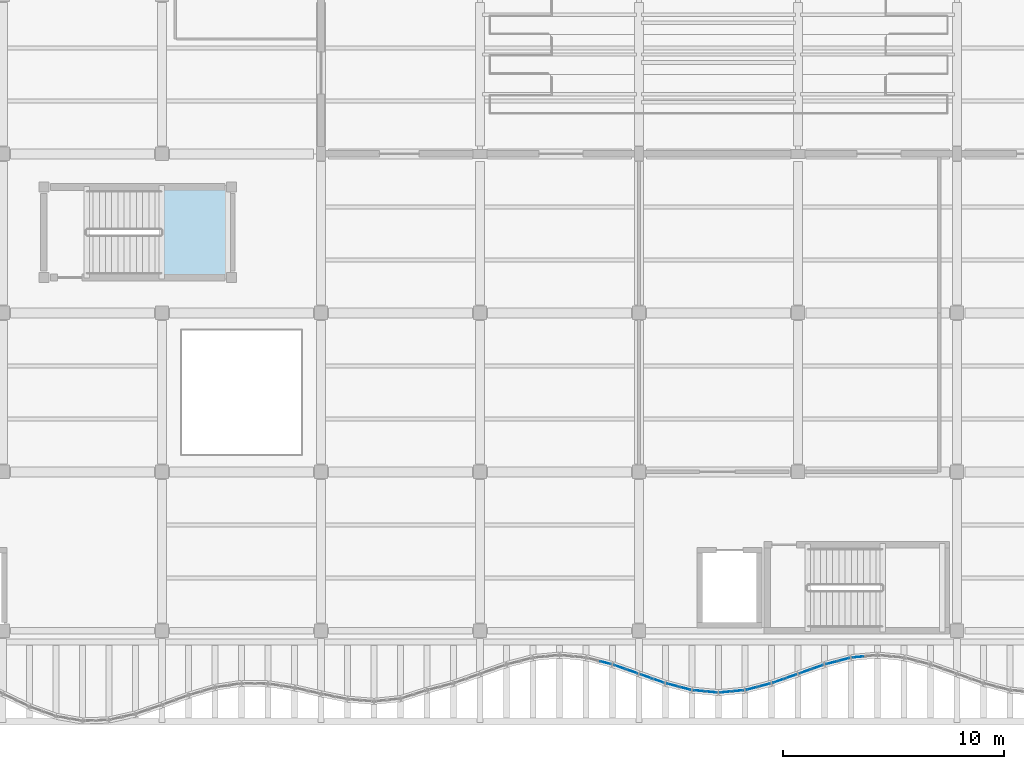
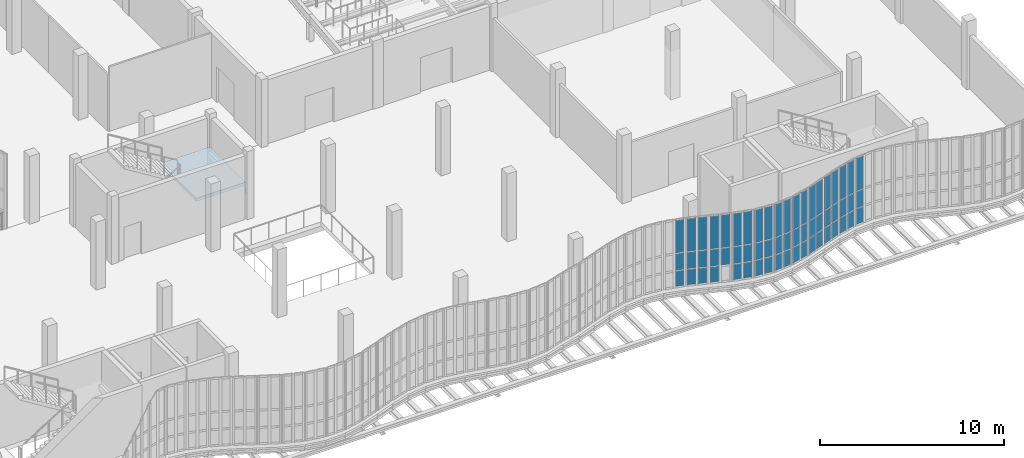
# One storey, part 79 of 105: 59 plates, 1 slab, 12 elements without a shape of their own.
"""IFC4 building model written with IfcOpenShell, lengths in metres."""

from ifc_helpers import new_model, si_unit, direction, frame, origin, origin_2d, place, context, subcontext, project, spatial, polyline, rectangle, outline, extrude, material, layer, layer_set, type_object, element, aggregate, save


model = new_model("IFC4")

# Units and contexts
model_context = context("Model", 3, precision=1e-05, world=origin(), true_north=direction((0.0, 1.0)))
body_context = subcontext(model_context, "Body", "Model", "MODEL_VIEW")
ifc_project = project(units=[si_unit("LENGTHUNIT", "METRE"), si_unit("AREAUNIT", "SQUARE_METRE"), si_unit("VOLUMEUNIT", "CUBIC_METRE"), si_unit("PLANEANGLEUNIT", "RADIAN"), si_unit("MASSUNIT", "GRAM", prefix="KILO"), si_unit("THERMODYNAMICTEMPERATUREUNIT", "KELVIN"), si_unit("POWERUNIT", "WATT")], contexts=[model_context])

# Site, building, storey
site_placement = place(None, origin())
site = spatial("IfcSite", under=ifc_project, at=site_placement, CompositionType="ELEMENT")
building_placement = place(site_placement, origin())
building = spatial("IfcBuilding", under=site, at=building_placement, Name="Kaldorven Railside Theatre", CompositionType="ELEMENT")
storey_placement = place(building_placement, frame((0.0, 0.0, 9.89990234375)))
storey = spatial("IfcBuildingStorey", under=building, at=storey_placement, Name="L02", CompositionType="ELEMENT", Elevation=9.89990234375)

# Curtain wall, plates
ifc_material_1 = material(Name="Low-E laminated solar-control glass", Category="glass")
ifc_layer_1 = layer(ifc_material_1, 0.159912109375, Name="Low-E laminated solar-control glass")
ifc_layer_set_1 = layer_set([ifc_layer_1], Name="Low-E laminated solar-control glass")
curtain_wall_type_1 = type_object("IfcCurtainWallType", Name="CWT-02", PredefinedType="USERDEFINED", material=ifc_layer_set_1)
curtain_wall_1_placement = place(storey_placement, origin())
curtain_wall_1 = element("IfcCurtainWall", 1, at=curtain_wall_1_placement, inside=storey, type_object=curtain_wall_type_1, Name="Sinusoidal Fluted Curtain Wall CW-L02-S53", ObjectType="FLUTED GLAZING", PredefinedType="USERDEFINED")
ifc_layer_2 = layer(ifc_material_1, 0.028076171875, Name="Low-E laminated solar-control glass")
ifc_layer_set_2 = layer_set([ifc_layer_2], Name="Low-E laminated solar-control glass")
plate_type = type_object("IfcPlateType", Name="CWP-GLZ28", PredefinedType="CURTAIN_PANEL", material=ifc_layer_set_2)
plate_1_placement = place(storey_placement, frame((100.08056640625, 17.7578125, 0.06005859375), z_axis=(0.0, 0.0, 1.0), x_axis=(0.967999075505, -0.250953760326, 0.0)))
plate_1 = element("IfcPlate", 2, at=plate_1_placement, type_object=plate_type, Name="CW-L02-S53 panel 2.1", PredefinedType="CURTAIN_PANEL", context=body_context, shape_type="SweptSolid", body=[
    extrude(rectangle(XDim=0.499755859375, YDim=0.028076171875, at=origin_2d()), origin(), (0.0, 0.0, 1.0), 1.010009765625),
])
plate_2_placement = place(storey_placement, frame((100.08056640625, 17.7578125, 1.1298828125), z_axis=(0.0, 0.0, 1.0), x_axis=(0.967999075505, -0.250953760326, 0.0)))
plate_2 = element("IfcPlate", 3, at=plate_2_placement, type_object=plate_type, Name="CW-L02-S53 panel 2.2", PredefinedType="CURTAIN_PANEL", context=body_context, shape_type="SweptSolid", body=[
    extrude(rectangle(XDim=0.499755859375, YDim=0.028076171875, at=origin_2d()), origin(), (0.0, 0.0, 1.0), 1.090087890625),
])
plate_3_placement = place(storey_placement, frame((100.08056640625, 17.7578125, 2.2802734375), z_axis=(0.0, 0.0, 1.0), x_axis=(0.967999075505, -0.250953760326, 0.0)))
plate_3 = element("IfcPlate", 4, at=plate_3_placement, type_object=plate_type, Name="CW-L02-S53 panel 2.3", PredefinedType="CURTAIN_PANEL", context=body_context, shape_type="SweptSolid", body=[
    extrude(rectangle(XDim=0.499755859375, YDim=0.028076171875, at=origin_2d()), origin(), (0.0, 0.0, 1.0), 2.159912109375),
])
aggregate(curtain_wall_1, [plate_1, plate_2, plate_3])

ifc_layer_3 = layer(ifc_material_1, 0.159912109375, Name="Low-E laminated solar-control glass")
ifc_layer_set_3 = layer_set([ifc_layer_3], Name="Low-E laminated solar-control glass")
curtain_wall_type_2 = type_object("IfcCurtainWallType", Name="CWT-01", PredefinedType="USERDEFINED", material=ifc_layer_set_3)
curtain_wall_2_placement = place(storey_placement, origin())
curtain_wall_2 = element("IfcCurtainWall", 5, at=curtain_wall_2_placement, inside=storey, type_object=curtain_wall_type_2, Name="Sinusoidal Fluted Curtain Wall CW-L02-S54", ObjectType="FLUTED GLAZING", PredefinedType="USERDEFINED")
plate_4_placement = place(storey_placement, frame((100.71875, 17.56201171875, 0.06005859375), z_axis=(0.0, 0.0, 1.0), x_axis=(0.942627225159, -0.33384714225, 0.0)))
plate_4 = element("IfcPlate", 6, at=plate_4_placement, type_object=plate_type, Name="CW-L02-S54 panel 1.1", PredefinedType="CURTAIN_PANEL", context=body_context, shape_type="SweptSolid", body=[
    extrude(rectangle(XDim=0.5166015625, YDim=0.028076171875, at=origin_2d()), origin(), (0.0, 0.0, 1.0), 1.010009765625),
])
plate_5_placement = place(storey_placement, frame((100.71875, 17.56201171875, 1.1298828125), z_axis=(0.0, 0.0, 1.0), x_axis=(0.942627225159, -0.33384714225, 0.0)))
plate_5 = element("IfcPlate", 7, at=plate_5_placement, type_object=plate_type, Name="CW-L02-S54 panel 1.2", PredefinedType="CURTAIN_PANEL", context=body_context, shape_type="SweptSolid", body=[
    extrude(rectangle(XDim=0.5166015625, YDim=0.028076171875, at=origin_2d()), origin(), (0.0, 0.0, 1.0), 1.090087890625),
])
plate_6_placement = place(storey_placement, frame((100.71875, 17.56201171875, 2.2802734375), z_axis=(0.0, 0.0, 1.0), x_axis=(0.942627225159, -0.33384714225, 0.0)))
plate_6 = element("IfcPlate", 8, at=plate_6_placement, type_object=plate_type, Name="CW-L02-S54 panel 1.3", PredefinedType="CURTAIN_PANEL", context=body_context, shape_type="SweptSolid", body=[
    extrude(rectangle(XDim=0.5166015625, YDim=0.028076171875, at=origin_2d()), origin(), (0.0, 0.0, 1.0), 2.159912109375),
])
plate_7_placement = place(storey_placement, frame((101.28125, 17.363037109375, 0.06005859375), z_axis=(0.0, 0.0, 1.0), x_axis=(0.942627225159, -0.33384714225, 0.0)))
plate_7 = element("IfcPlate", 9, at=plate_7_placement, type_object=plate_type, Name="CW-L02-S54 panel 2.1", PredefinedType="CURTAIN_PANEL", context=body_context, shape_type="SweptSolid", body=[
    extrude(rectangle(XDim=0.5166015625, YDim=0.028076171875, at=origin_2d()), origin(), (0.0, 0.0, 1.0), 1.010009765625),
])
plate_8_placement = place(storey_placement, frame((101.28125, 17.363037109375, 1.1298828125), z_axis=(0.0, 0.0, 1.0), x_axis=(0.942627225159, -0.33384714225, 0.0)))
plate_8 = element("IfcPlate", 10, at=plate_8_placement, type_object=plate_type, Name="CW-L02-S54 panel 2.2", PredefinedType="CURTAIN_PANEL", context=body_context, shape_type="SweptSolid", body=[
    extrude(rectangle(XDim=0.5166015625, YDim=0.028076171875, at=origin_2d()), origin(), (0.0, 0.0, 1.0), 1.090087890625),
])
plate_9_placement = place(storey_placement, frame((101.28125, 17.363037109375, 2.2802734375), z_axis=(0.0, 0.0, 1.0), x_axis=(0.942627225159, -0.33384714225, 0.0)))
plate_9 = element("IfcPlate", 11, at=plate_9_placement, type_object=plate_type, Name="CW-L02-S54 panel 2.3", PredefinedType="CURTAIN_PANEL", context=body_context, shape_type="SweptSolid", body=[
    extrude(rectangle(XDim=0.5166015625, YDim=0.028076171875, at=origin_2d()), origin(), (0.0, 0.0, 1.0), 2.159912109375),
])
aggregate(curtain_wall_2, [plate_4, plate_5, plate_6, plate_7, plate_8, plate_9])

curtain_wall_3_placement = place(storey_placement, origin())
curtain_wall_3 = element("IfcCurtainWall", 12, at=curtain_wall_3_placement, inside=storey, type_object=curtain_wall_type_2, Name="Sinusoidal Fluted Curtain Wall CW-L02-S55", ObjectType="FLUTED GLAZING", PredefinedType="USERDEFINED")
plate_10_placement = place(storey_placement, frame((101.9189453125, 17.136962890625, 0.06005859375), z_axis=(0.0, 0.0, 1.0), x_axis=(0.942627225159, -0.33384714225, 0.0)))
plate_10 = element("IfcPlate", 13, at=plate_10_placement, type_object=plate_type, Name="CW-L02-S55 panel 1.1", PredefinedType="CURTAIN_PANEL", context=body_context, shape_type="SweptSolid", body=[
    extrude(rectangle(XDim=0.5166015625, YDim=0.028076171875, at=origin_2d()), origin(), (0.0, 0.0, 1.0), 1.010009765625),
])
plate_11_placement = place(storey_placement, frame((101.9189453125, 17.136962890625, 1.1298828125), z_axis=(0.0, 0.0, 1.0), x_axis=(0.942627225159, -0.33384714225, 0.0)))
plate_11 = element("IfcPlate", 14, at=plate_11_placement, type_object=plate_type, Name="CW-L02-S55 panel 1.2", PredefinedType="CURTAIN_PANEL", context=body_context, shape_type="SweptSolid", body=[
    extrude(rectangle(XDim=0.5166015625, YDim=0.028076171875, at=origin_2d()), origin(), (0.0, 0.0, 1.0), 1.090087890625),
])
plate_12_placement = place(storey_placement, frame((101.9189453125, 17.136962890625, 2.2802734375), z_axis=(0.0, 0.0, 1.0), x_axis=(0.942627225159, -0.33384714225, 0.0)))
plate_12 = element("IfcPlate", 15, at=plate_12_placement, type_object=plate_type, Name="CW-L02-S55 panel 1.3", PredefinedType="CURTAIN_PANEL", context=body_context, shape_type="SweptSolid", body=[
    extrude(rectangle(XDim=0.5166015625, YDim=0.028076171875, at=origin_2d()), origin(), (0.0, 0.0, 1.0), 2.159912109375),
])
plate_13_placement = place(storey_placement, frame((102.481201171875, 16.93798828125, 1.1298828125), z_axis=(0.0, 0.0, 1.0), x_axis=(0.942627225159, -0.33384714225, 0.0)))
plate_13 = element("IfcPlate", 16, at=plate_13_placement, type_object=plate_type, Name="CW-L02-S55 panel 2.2", PredefinedType="CURTAIN_PANEL", context=body_context, shape_type="SweptSolid", body=[
    extrude(rectangle(XDim=0.5166015625, YDim=0.028076171875, at=origin_2d()), origin(), (0.0, 0.0, 1.0), 1.090087890625),
])
plate_14_placement = place(storey_placement, frame((102.481201171875, 16.93798828125, 2.2802734375), z_axis=(0.0, 0.0, 1.0), x_axis=(0.942627225159, -0.33384714225, 0.0)))
plate_14 = element("IfcPlate", 17, at=plate_14_placement, type_object=plate_type, Name="CW-L02-S55 panel 2.3", PredefinedType="CURTAIN_PANEL", context=body_context, shape_type="SweptSolid", body=[
    extrude(rectangle(XDim=0.5166015625, YDim=0.028076171875, at=origin_2d()), origin(), (0.0, 0.0, 1.0), 2.159912109375),
])
aggregate(curtain_wall_3, [plate_10, plate_11, plate_12, plate_13, plate_14])

curtain_wall_4_placement = place(storey_placement, origin())
curtain_wall_4 = element("IfcCurtainWall", 18, at=curtain_wall_4_placement, inside=storey, type_object=curtain_wall_type_1, Name="Sinusoidal Fluted Curtain Wall CW-L02-S56", ObjectType="FLUTED GLAZING", PredefinedType="USERDEFINED")
plate_15_placement = place(storey_placement, frame((103.119384765625, 16.7421875, 0.06005859375), z_axis=(0.0, 0.0, 1.0), x_axis=(0.967999075505, -0.250953760326, 0.0)))
plate_15 = element("IfcPlate", 19, at=plate_15_placement, type_object=plate_type, Name="CW-L02-S56 panel 1.1", PredefinedType="CURTAIN_PANEL", context=body_context, shape_type="SweptSolid", body=[
    extrude(rectangle(XDim=0.499755859375, YDim=0.028076171875, at=origin_2d()), origin(), (0.0, 0.0, 1.0), 1.010009765625),
])
plate_16_placement = place(storey_placement, frame((103.119384765625, 16.7421875, 1.1298828125), z_axis=(0.0, 0.0, 1.0), x_axis=(0.967999075505, -0.250953760326, 0.0)))
plate_16 = element("IfcPlate", 20, at=plate_16_placement, type_object=plate_type, Name="CW-L02-S56 panel 1.2", PredefinedType="CURTAIN_PANEL", context=body_context, shape_type="SweptSolid", body=[
    extrude(rectangle(XDim=0.499755859375, YDim=0.028076171875, at=origin_2d()), origin(), (0.0, 0.0, 1.0), 1.090087890625),
])
plate_17_placement = place(storey_placement, frame((103.119384765625, 16.7421875, 2.2802734375), z_axis=(0.0, 0.0, 1.0), x_axis=(0.967999075505, -0.250953760326, 0.0)))
plate_17 = element("IfcPlate", 21, at=plate_17_placement, type_object=plate_type, Name="CW-L02-S56 panel 1.3", PredefinedType="CURTAIN_PANEL", context=body_context, shape_type="SweptSolid", body=[
    extrude(rectangle(XDim=0.499755859375, YDim=0.028076171875, at=origin_2d()), origin(), (0.0, 0.0, 1.0), 2.159912109375),
])
plate_18_placement = place(storey_placement, frame((103.6806640625, 16.5966796875, 0.06005859375), z_axis=(0.0, 0.0, 1.0), x_axis=(0.967999075505, -0.250953760326, 0.0)))
plate_18 = element("IfcPlate", 22, at=plate_18_placement, type_object=plate_type, Name="CW-L02-S56 panel 2.1", PredefinedType="CURTAIN_PANEL", context=body_context, shape_type="SweptSolid", body=[
    extrude(rectangle(XDim=0.499755859375, YDim=0.028076171875, at=origin_2d()), origin(), (0.0, 0.0, 1.0), 1.010009765625),
])
plate_19_placement = place(storey_placement, frame((103.6806640625, 16.5966796875, 1.1298828125), z_axis=(0.0, 0.0, 1.0), x_axis=(0.967999075505, -0.250953760326, 0.0)))
plate_19 = element("IfcPlate", 23, at=plate_19_placement, type_object=plate_type, Name="CW-L02-S56 panel 2.2", PredefinedType="CURTAIN_PANEL", context=body_context, shape_type="SweptSolid", body=[
    extrude(rectangle(XDim=0.499755859375, YDim=0.028076171875, at=origin_2d()), origin(), (0.0, 0.0, 1.0), 1.090087890625),
])
plate_20_placement = place(storey_placement, frame((103.6806640625, 16.5966796875, 2.2802734375), z_axis=(0.0, 0.0, 1.0), x_axis=(0.967999075505, -0.250953760326, 0.0)))
plate_20 = element("IfcPlate", 24, at=plate_20_placement, type_object=plate_type, Name="CW-L02-S56 panel 2.3", PredefinedType="CURTAIN_PANEL", context=body_context, shape_type="SweptSolid", body=[
    extrude(rectangle(XDim=0.499755859375, YDim=0.028076171875, at=origin_2d()), origin(), (0.0, 0.0, 1.0), 2.159912109375),
])
aggregate(curtain_wall_4, [plate_15, plate_16, plate_17, plate_18, plate_19, plate_20])

ifc_layer_4 = layer(ifc_material_1, 0.159912109375, Name="Low-E laminated solar-control glass")
ifc_layer_set_4 = layer_set([ifc_layer_4], Name="Low-E laminated solar-control glass")
curtain_wall_type_3 = type_object("IfcCurtainWallType", Name="CWT-03", PredefinedType="USERDEFINED", material=ifc_layer_set_4)
curtain_wall_5_placement = place(storey_placement, origin())
curtain_wall_5 = element("IfcCurtainWall", 25, at=curtain_wall_5_placement, inside=storey, type_object=curtain_wall_type_3, Name="Sinusoidal Fluted Curtain Wall CW-L02-S57", ObjectType="FLUTED GLAZING", PredefinedType="USERDEFINED")
plate_21_placement = place(storey_placement, frame((104.31982421875, 16.483642578125, 0.06005859375), z_axis=(0.0, 0.0, 1.0), x_axis=(0.995525623425, -0.094491973758, 0.0)))
plate_21 = element("IfcPlate", 26, at=plate_21_placement, type_object=plate_type, Name="CW-L02-S57 panel 1.1", PredefinedType="CURTAIN_PANEL", context=body_context, shape_type="SweptSolid", body=[
    extrude(rectangle(XDim=0.482666015625, YDim=0.028076171875, at=origin_2d()), origin(), (0.0, 0.0, 1.0), 1.010009765625),
])
plate_22_placement = place(storey_placement, frame((104.31982421875, 16.483642578125, 1.1298828125), z_axis=(0.0, 0.0, 1.0), x_axis=(0.995525623425, -0.094491973758, 0.0)))
plate_22 = element("IfcPlate", 27, at=plate_22_placement, type_object=plate_type, Name="CW-L02-S57 panel 1.2", PredefinedType="CURTAIN_PANEL", context=body_context, shape_type="SweptSolid", body=[
    extrude(rectangle(XDim=0.482666015625, YDim=0.028076171875, at=origin_2d()), origin(), (0.0, 0.0, 1.0), 1.090087890625),
])
plate_23_placement = place(storey_placement, frame((104.31982421875, 16.483642578125, 2.2802734375), z_axis=(0.0, 0.0, 1.0), x_axis=(0.995525623425, -0.094491973758, 0.0)))
plate_23 = element("IfcPlate", 28, at=plate_23_placement, type_object=plate_type, Name="CW-L02-S57 panel 1.3", PredefinedType="CURTAIN_PANEL", context=body_context, shape_type="SweptSolid", body=[
    extrude(rectangle(XDim=0.482666015625, YDim=0.028076171875, at=origin_2d()), origin(), (0.0, 0.0, 1.0), 2.159912109375),
])
plate_24_placement = place(storey_placement, frame((104.880126953125, 16.430419921875, 0.06005859375), z_axis=(0.0, 0.0, 1.0), x_axis=(0.995525623425, -0.094491973758, 0.0)))
plate_24 = element("IfcPlate", 29, at=plate_24_placement, type_object=plate_type, Name="CW-L02-S57 panel 2.1", PredefinedType="CURTAIN_PANEL", context=body_context, shape_type="SweptSolid", body=[
    extrude(rectangle(XDim=0.482666015625, YDim=0.028076171875, at=origin_2d()), origin(), (0.0, 0.0, 1.0), 1.010009765625),
])
plate_25_placement = place(storey_placement, frame((104.880126953125, 16.430419921875, 1.1298828125), z_axis=(0.0, 0.0, 1.0), x_axis=(0.995525623425, -0.094491973758, 0.0)))
plate_25 = element("IfcPlate", 30, at=plate_25_placement, type_object=plate_type, Name="CW-L02-S57 panel 2.2", PredefinedType="CURTAIN_PANEL", context=body_context, shape_type="SweptSolid", body=[
    extrude(rectangle(XDim=0.482666015625, YDim=0.028076171875, at=origin_2d()), origin(), (0.0, 0.0, 1.0), 1.090087890625),
])
plate_26_placement = place(storey_placement, frame((104.880126953125, 16.430419921875, 2.2802734375), z_axis=(0.0, 0.0, 1.0), x_axis=(0.995525623425, -0.094491973758, 0.0)))
plate_26 = element("IfcPlate", 31, at=plate_26_placement, type_object=plate_type, Name="CW-L02-S57 panel 2.3", PredefinedType="CURTAIN_PANEL", context=body_context, shape_type="SweptSolid", body=[
    extrude(rectangle(XDim=0.482666015625, YDim=0.028076171875, at=origin_2d()), origin(), (0.0, 0.0, 1.0), 2.159912109375),
])
aggregate(curtain_wall_5, [plate_21, plate_22, plate_23, plate_24, plate_25, plate_26])

curtain_wall_6_placement = place(storey_placement, origin())
curtain_wall_6 = element("IfcCurtainWall", 32, at=curtain_wall_6_placement, inside=storey, type_object=curtain_wall_type_3, Name="Sinusoidal Fluted Curtain Wall CW-L02-S58", ObjectType="FLUTED GLAZING", PredefinedType="USERDEFINED")
plate_27_placement = place(storey_placement, frame((105.52001953125, 16.430419921875, 0.06005859375), z_axis=(0.0, 0.0, 1.0), x_axis=(0.995525623425, 0.094491973758, 0.0)))
plate_27 = element("IfcPlate", 33, at=plate_27_placement, type_object=plate_type, Name="CW-L02-S58 panel 1.1", PredefinedType="CURTAIN_PANEL", context=body_context, shape_type="SweptSolid", body=[
    extrude(rectangle(XDim=0.482666015625, YDim=0.028076171875, at=origin_2d()), origin(), (0.0, 0.0, 1.0), 1.010009765625),
])
plate_28_placement = place(storey_placement, frame((105.52001953125, 16.430419921875, 1.1298828125), z_axis=(0.0, 0.0, 1.0), x_axis=(0.995525623425, 0.094491973758, 0.0)))
plate_28 = element("IfcPlate", 34, at=plate_28_placement, type_object=plate_type, Name="CW-L02-S58 panel 1.2", PredefinedType="CURTAIN_PANEL", context=body_context, shape_type="SweptSolid", body=[
    extrude(rectangle(XDim=0.482666015625, YDim=0.028076171875, at=origin_2d()), origin(), (0.0, 0.0, 1.0), 1.090087890625),
])
plate_29_placement = place(storey_placement, frame((105.52001953125, 16.430419921875, 2.2802734375), z_axis=(0.0, 0.0, 1.0), x_axis=(0.995525623425, 0.094491973758, 0.0)))
plate_29 = element("IfcPlate", 35, at=plate_29_placement, type_object=plate_type, Name="CW-L02-S58 panel 1.3", PredefinedType="CURTAIN_PANEL", context=body_context, shape_type="SweptSolid", body=[
    extrude(rectangle(XDim=0.482666015625, YDim=0.028076171875, at=origin_2d()), origin(), (0.0, 0.0, 1.0), 2.159912109375),
])
plate_30_placement = place(storey_placement, frame((106.080078125, 16.483642578125, 0.06005859375), z_axis=(0.0, 0.0, 1.0), x_axis=(0.995525623425, 0.094491973758, 0.0)))
plate_30 = element("IfcPlate", 36, at=plate_30_placement, type_object=plate_type, Name="CW-L02-S58 panel 2.1", PredefinedType="CURTAIN_PANEL", context=body_context, shape_type="SweptSolid", body=[
    extrude(rectangle(XDim=0.482666015625, YDim=0.028076171875, at=origin_2d()), origin(), (0.0, 0.0, 1.0), 1.010009765625),
])
plate_31_placement = place(storey_placement, frame((106.080078125, 16.483642578125, 1.1298828125), z_axis=(0.0, 0.0, 1.0), x_axis=(0.995525623425, 0.094491973758, 0.0)))
plate_31 = element("IfcPlate", 37, at=plate_31_placement, type_object=plate_type, Name="CW-L02-S58 panel 2.2", PredefinedType="CURTAIN_PANEL", context=body_context, shape_type="SweptSolid", body=[
    extrude(rectangle(XDim=0.482666015625, YDim=0.028076171875, at=origin_2d()), origin(), (0.0, 0.0, 1.0), 1.090087890625),
])
plate_32_placement = place(storey_placement, frame((106.080078125, 16.483642578125, 2.2802734375), z_axis=(0.0, 0.0, 1.0), x_axis=(0.995525623425, 0.094491973758, 0.0)))
plate_32 = element("IfcPlate", 38, at=plate_32_placement, type_object=plate_type, Name="CW-L02-S58 panel 2.3", PredefinedType="CURTAIN_PANEL", context=body_context, shape_type="SweptSolid", body=[
    extrude(rectangle(XDim=0.482666015625, YDim=0.028076171875, at=origin_2d()), origin(), (0.0, 0.0, 1.0), 2.159912109375),
])
aggregate(curtain_wall_6, [plate_27, plate_28, plate_29, plate_30, plate_31, plate_32])

curtain_wall_7_placement = place(storey_placement, origin())
curtain_wall_7 = element("IfcCurtainWall", 39, at=curtain_wall_7_placement, inside=storey, type_object=curtain_wall_type_1, Name="Sinusoidal Fluted Curtain Wall CW-L02-S59", ObjectType="FLUTED GLAZING", PredefinedType="USERDEFINED")
plate_33_placement = place(storey_placement, frame((106.71923828125, 16.5966796875, 0.06005859375), z_axis=(0.0, 0.0, 1.0), x_axis=(0.967999075505, 0.250953760326, 0.0)))
plate_33 = element("IfcPlate", 40, at=plate_33_placement, type_object=plate_type, Name="CW-L02-S59 panel 1.1", PredefinedType="CURTAIN_PANEL", context=body_context, shape_type="SweptSolid", body=[
    extrude(rectangle(XDim=0.499755859375, YDim=0.028076171875, at=origin_2d()), origin(), (0.0, 0.0, 1.0), 1.010009765625),
])
plate_34_placement = place(storey_placement, frame((106.71923828125, 16.5966796875, 1.1298828125), z_axis=(0.0, 0.0, 1.0), x_axis=(0.967999075505, 0.250953760326, 0.0)))
plate_34 = element("IfcPlate", 41, at=plate_34_placement, type_object=plate_type, Name="CW-L02-S59 panel 1.2", PredefinedType="CURTAIN_PANEL", context=body_context, shape_type="SweptSolid", body=[
    extrude(rectangle(XDim=0.499755859375, YDim=0.028076171875, at=origin_2d()), origin(), (0.0, 0.0, 1.0), 1.090087890625),
])
plate_35_placement = place(storey_placement, frame((106.71923828125, 16.5966796875, 2.2802734375), z_axis=(0.0, 0.0, 1.0), x_axis=(0.967999075505, 0.250953760326, 0.0)))
plate_35 = element("IfcPlate", 42, at=plate_35_placement, type_object=plate_type, Name="CW-L02-S59 panel 1.3", PredefinedType="CURTAIN_PANEL", context=body_context, shape_type="SweptSolid", body=[
    extrude(rectangle(XDim=0.499755859375, YDim=0.028076171875, at=origin_2d()), origin(), (0.0, 0.0, 1.0), 2.159912109375),
])
plate_36_placement = place(storey_placement, frame((107.28076171875, 16.7421875, 0.06005859375), z_axis=(0.0, 0.0, 1.0), x_axis=(0.967999075505, 0.250953760326, 0.0)))
plate_36 = element("IfcPlate", 43, at=plate_36_placement, type_object=plate_type, Name="CW-L02-S59 panel 2.1", PredefinedType="CURTAIN_PANEL", context=body_context, shape_type="SweptSolid", body=[
    extrude(rectangle(XDim=0.499755859375, YDim=0.028076171875, at=origin_2d()), origin(), (0.0, 0.0, 1.0), 1.010009765625),
])
plate_37_placement = place(storey_placement, frame((107.28076171875, 16.7421875, 1.1298828125), z_axis=(0.0, 0.0, 1.0), x_axis=(0.967999075505, 0.250953760326, 0.0)))
plate_37 = element("IfcPlate", 44, at=plate_37_placement, type_object=plate_type, Name="CW-L02-S59 panel 2.2", PredefinedType="CURTAIN_PANEL", context=body_context, shape_type="SweptSolid", body=[
    extrude(rectangle(XDim=0.499755859375, YDim=0.028076171875, at=origin_2d()), origin(), (0.0, 0.0, 1.0), 1.090087890625),
])
plate_38_placement = place(storey_placement, frame((107.28076171875, 16.7421875, 2.2802734375), z_axis=(0.0, 0.0, 1.0), x_axis=(0.967999075505, 0.250953760326, 0.0)))
plate_38 = element("IfcPlate", 45, at=plate_38_placement, type_object=plate_type, Name="CW-L02-S59 panel 2.3", PredefinedType="CURTAIN_PANEL", context=body_context, shape_type="SweptSolid", body=[
    extrude(rectangle(XDim=0.499755859375, YDim=0.028076171875, at=origin_2d()), origin(), (0.0, 0.0, 1.0), 2.159912109375),
])
aggregate(curtain_wall_7, [plate_33, plate_34, plate_35, plate_36, plate_37, plate_38])

curtain_wall_8_placement = place(storey_placement, origin())
curtain_wall_8 = element("IfcCurtainWall", 46, at=curtain_wall_8_placement, inside=storey, type_object=curtain_wall_type_2, Name="Sinusoidal Fluted Curtain Wall CW-L02-S60", ObjectType="FLUTED GLAZING", PredefinedType="USERDEFINED")
plate_39_placement = place(storey_placement, frame((107.9189453125, 16.93798828125, 0.06005859375), z_axis=(0.0, 0.0, 1.0), x_axis=(0.942627225159, 0.33384714225, 0.0)))
plate_39 = element("IfcPlate", 47, at=plate_39_placement, type_object=plate_type, Name="CW-L02-S60 panel 1.1", PredefinedType="CURTAIN_PANEL", context=body_context, shape_type="SweptSolid", body=[
    extrude(rectangle(XDim=0.5166015625, YDim=0.028076171875, at=origin_2d()), origin(), (0.0, 0.0, 1.0), 1.010009765625),
])
plate_40_placement = place(storey_placement, frame((107.9189453125, 16.93798828125, 1.1298828125), z_axis=(0.0, 0.0, 1.0), x_axis=(0.942627225159, 0.33384714225, 0.0)))
plate_40 = element("IfcPlate", 48, at=plate_40_placement, type_object=plate_type, Name="CW-L02-S60 panel 1.2", PredefinedType="CURTAIN_PANEL", context=body_context, shape_type="SweptSolid", body=[
    extrude(rectangle(XDim=0.5166015625, YDim=0.028076171875, at=origin_2d()), origin(), (0.0, 0.0, 1.0), 1.090087890625),
])
plate_41_placement = place(storey_placement, frame((107.9189453125, 16.93798828125, 2.2802734375), z_axis=(0.0, 0.0, 1.0), x_axis=(0.942627225159, 0.33384714225, 0.0)))
plate_41 = element("IfcPlate", 49, at=plate_41_placement, type_object=plate_type, Name="CW-L02-S60 panel 1.3", PredefinedType="CURTAIN_PANEL", context=body_context, shape_type="SweptSolid", body=[
    extrude(rectangle(XDim=0.5166015625, YDim=0.028076171875, at=origin_2d()), origin(), (0.0, 0.0, 1.0), 2.159912109375),
])
plate_42_placement = place(storey_placement, frame((108.481201171875, 17.136962890625, 0.06005859375), z_axis=(0.0, 0.0, 1.0), x_axis=(0.942627225159, 0.33384714225, 0.0)))
plate_42 = element("IfcPlate", 50, at=plate_42_placement, type_object=plate_type, Name="CW-L02-S60 panel 2.1", PredefinedType="CURTAIN_PANEL", context=body_context, shape_type="SweptSolid", body=[
    extrude(rectangle(XDim=0.5166015625, YDim=0.028076171875, at=origin_2d()), origin(), (0.0, 0.0, 1.0), 1.010009765625),
])
plate_43_placement = place(storey_placement, frame((108.481201171875, 17.136962890625, 1.1298828125), z_axis=(0.0, 0.0, 1.0), x_axis=(0.942627225159, 0.33384714225, 0.0)))
plate_43 = element("IfcPlate", 51, at=plate_43_placement, type_object=plate_type, Name="CW-L02-S60 panel 2.2", PredefinedType="CURTAIN_PANEL", context=body_context, shape_type="SweptSolid", body=[
    extrude(rectangle(XDim=0.5166015625, YDim=0.028076171875, at=origin_2d()), origin(), (0.0, 0.0, 1.0), 1.090087890625),
])
plate_44_placement = place(storey_placement, frame((108.481201171875, 17.136962890625, 2.2802734375), z_axis=(0.0, 0.0, 1.0), x_axis=(0.942627225159, 0.33384714225, 0.0)))
plate_44 = element("IfcPlate", 52, at=plate_44_placement, type_object=plate_type, Name="CW-L02-S60 panel 2.3", PredefinedType="CURTAIN_PANEL", context=body_context, shape_type="SweptSolid", body=[
    extrude(rectangle(XDim=0.5166015625, YDim=0.028076171875, at=origin_2d()), origin(), (0.0, 0.0, 1.0), 2.159912109375),
])
aggregate(curtain_wall_8, [plate_39, plate_40, plate_41, plate_42, plate_43, plate_44])

curtain_wall_9_placement = place(storey_placement, origin())
curtain_wall_9 = element("IfcCurtainWall", 53, at=curtain_wall_9_placement, inside=storey, type_object=curtain_wall_type_2, Name="Sinusoidal Fluted Curtain Wall CW-L02-S61", ObjectType="FLUTED GLAZING", PredefinedType="USERDEFINED")
plate_45_placement = place(storey_placement, frame((109.118896484375, 17.363037109375, 0.06005859375), z_axis=(0.0, 0.0, 1.0), x_axis=(0.942627225159, 0.33384714225, 0.0)))
plate_45 = element("IfcPlate", 54, at=plate_45_placement, type_object=plate_type, Name="CW-L02-S61 panel 1.1", PredefinedType="CURTAIN_PANEL", context=body_context, shape_type="SweptSolid", body=[
    extrude(rectangle(XDim=0.5166015625, YDim=0.028076171875, at=origin_2d()), origin(), (0.0, 0.0, 1.0), 1.010009765625),
])
plate_46_placement = place(storey_placement, frame((109.118896484375, 17.363037109375, 1.1298828125), z_axis=(0.0, 0.0, 1.0), x_axis=(0.942627225159, 0.33384714225, 0.0)))
plate_46 = element("IfcPlate", 55, at=plate_46_placement, type_object=plate_type, Name="CW-L02-S61 panel 1.2", PredefinedType="CURTAIN_PANEL", context=body_context, shape_type="SweptSolid", body=[
    extrude(rectangle(XDim=0.5166015625, YDim=0.028076171875, at=origin_2d()), origin(), (0.0, 0.0, 1.0), 1.090087890625),
])
plate_47_placement = place(storey_placement, frame((109.118896484375, 17.363037109375, 2.2802734375), z_axis=(0.0, 0.0, 1.0), x_axis=(0.942627225159, 0.33384714225, 0.0)))
plate_47 = element("IfcPlate", 56, at=plate_47_placement, type_object=plate_type, Name="CW-L02-S61 panel 1.3", PredefinedType="CURTAIN_PANEL", context=body_context, shape_type="SweptSolid", body=[
    extrude(rectangle(XDim=0.5166015625, YDim=0.028076171875, at=origin_2d()), origin(), (0.0, 0.0, 1.0), 2.159912109375),
])
plate_48_placement = place(storey_placement, frame((109.68115234375, 17.56201171875, 0.06005859375), z_axis=(0.0, 0.0, 1.0), x_axis=(0.942627225159, 0.33384714225, 0.0)))
plate_48 = element("IfcPlate", 57, at=plate_48_placement, type_object=plate_type, Name="CW-L02-S61 panel 2.1", PredefinedType="CURTAIN_PANEL", context=body_context, shape_type="SweptSolid", body=[
    extrude(rectangle(XDim=0.5166015625, YDim=0.028076171875, at=origin_2d()), origin(), (0.0, 0.0, 1.0), 1.010009765625),
])
plate_49_placement = place(storey_placement, frame((109.68115234375, 17.56201171875, 1.1298828125), z_axis=(0.0, 0.0, 1.0), x_axis=(0.942627225159, 0.33384714225, 0.0)))
plate_49 = element("IfcPlate", 58, at=plate_49_placement, type_object=plate_type, Name="CW-L02-S61 panel 2.2", PredefinedType="CURTAIN_PANEL", context=body_context, shape_type="SweptSolid", body=[
    extrude(rectangle(XDim=0.5166015625, YDim=0.028076171875, at=origin_2d()), origin(), (0.0, 0.0, 1.0), 1.090087890625),
])
plate_50_placement = place(storey_placement, frame((109.68115234375, 17.56201171875, 2.2802734375), z_axis=(0.0, 0.0, 1.0), x_axis=(0.942627225159, 0.33384714225, 0.0)))
plate_50 = element("IfcPlate", 59, at=plate_50_placement, type_object=plate_type, Name="CW-L02-S61 panel 2.3", PredefinedType="CURTAIN_PANEL", context=body_context, shape_type="SweptSolid", body=[
    extrude(rectangle(XDim=0.5166015625, YDim=0.028076171875, at=origin_2d()), origin(), (0.0, 0.0, 1.0), 2.159912109375),
])
aggregate(curtain_wall_9, [plate_45, plate_46, plate_47, plate_48, plate_49, plate_50])

curtain_wall_10_placement = place(storey_placement, origin())
curtain_wall_10 = element("IfcCurtainWall", 60, at=curtain_wall_10_placement, inside=storey, type_object=curtain_wall_type_1, Name="Sinusoidal Fluted Curtain Wall CW-L02-S62", ObjectType="FLUTED GLAZING", PredefinedType="USERDEFINED")
plate_51_placement = place(storey_placement, frame((110.3193359375, 17.7578125, 0.06005859375), z_axis=(0.0, 0.0, 1.0), x_axis=(0.967999075505, 0.250953760326, 0.0)))
plate_51 = element("IfcPlate", 61, at=plate_51_placement, type_object=plate_type, Name="CW-L02-S62 panel 1.1", PredefinedType="CURTAIN_PANEL", context=body_context, shape_type="SweptSolid", body=[
    extrude(rectangle(XDim=0.499755859375, YDim=0.028076171875, at=origin_2d()), origin(), (0.0, 0.0, 1.0), 1.010009765625),
])
plate_52_placement = place(storey_placement, frame((110.3193359375, 17.7578125, 1.1298828125), z_axis=(0.0, 0.0, 1.0), x_axis=(0.967999075505, 0.250953760326, 0.0)))
plate_52 = element("IfcPlate", 62, at=plate_52_placement, type_object=plate_type, Name="CW-L02-S62 panel 1.2", PredefinedType="CURTAIN_PANEL", context=body_context, shape_type="SweptSolid", body=[
    extrude(rectangle(XDim=0.499755859375, YDim=0.028076171875, at=origin_2d()), origin(), (0.0, 0.0, 1.0), 1.090087890625),
])
plate_53_placement = place(storey_placement, frame((110.3193359375, 17.7578125, 2.2802734375), z_axis=(0.0, 0.0, 1.0), x_axis=(0.967999075505, 0.250953760326, 0.0)))
plate_53 = element("IfcPlate", 63, at=plate_53_placement, type_object=plate_type, Name="CW-L02-S62 panel 1.3", PredefinedType="CURTAIN_PANEL", context=body_context, shape_type="SweptSolid", body=[
    extrude(rectangle(XDim=0.499755859375, YDim=0.028076171875, at=origin_2d()), origin(), (0.0, 0.0, 1.0), 2.159912109375),
])
plate_54_placement = place(storey_placement, frame((110.880615234375, 17.9033203125, 0.06005859375), z_axis=(0.0, 0.0, 1.0), x_axis=(0.967999075505, 0.250953760326, 0.0)))
plate_54 = element("IfcPlate", 64, at=plate_54_placement, type_object=plate_type, Name="CW-L02-S62 panel 2.1", PredefinedType="CURTAIN_PANEL", context=body_context, shape_type="SweptSolid", body=[
    extrude(rectangle(XDim=0.499755859375, YDim=0.028076171875, at=origin_2d()), origin(), (0.0, 0.0, 1.0), 1.010009765625),
])
plate_55_placement = place(storey_placement, frame((110.880615234375, 17.9033203125, 1.1298828125), z_axis=(0.0, 0.0, 1.0), x_axis=(0.967999075505, 0.250953760326, 0.0)))
plate_55 = element("IfcPlate", 65, at=plate_55_placement, type_object=plate_type, Name="CW-L02-S62 panel 2.2", PredefinedType="CURTAIN_PANEL", context=body_context, shape_type="SweptSolid", body=[
    extrude(rectangle(XDim=0.499755859375, YDim=0.028076171875, at=origin_2d()), origin(), (0.0, 0.0, 1.0), 1.090087890625),
])
plate_56_placement = place(storey_placement, frame((110.880615234375, 17.9033203125, 2.2802734375), z_axis=(0.0, 0.0, 1.0), x_axis=(0.967999075505, 0.250953760326, 0.0)))
plate_56 = element("IfcPlate", 66, at=plate_56_placement, type_object=plate_type, Name="CW-L02-S62 panel 2.3", PredefinedType="CURTAIN_PANEL", context=body_context, shape_type="SweptSolid", body=[
    extrude(rectangle(XDim=0.499755859375, YDim=0.028076171875, at=origin_2d()), origin(), (0.0, 0.0, 1.0), 2.159912109375),
])
aggregate(curtain_wall_10, [plate_51, plate_52, plate_53, plate_54, plate_55, plate_56])

curtain_wall_11_placement = place(storey_placement, origin())
curtain_wall_11 = element("IfcCurtainWall", 67, at=curtain_wall_11_placement, inside=storey, type_object=curtain_wall_type_3, Name="Sinusoidal Fluted Curtain Wall CW-L02-S63", ObjectType="FLUTED GLAZING", PredefinedType="USERDEFINED")
plate_57_placement = place(storey_placement, frame((111.52001953125, 18.016357421875, 0.06005859375), z_axis=(0.0, 0.0, 1.0), x_axis=(0.995525623425, 0.094491973758, 0.0)))
plate_57 = element("IfcPlate", 68, at=plate_57_placement, type_object=plate_type, Name="CW-L02-S63 panel 1.1", PredefinedType="CURTAIN_PANEL", context=body_context, shape_type="SweptSolid", body=[
    extrude(rectangle(XDim=0.482666015625, YDim=0.028076171875, at=origin_2d()), origin(), (0.0, 0.0, 1.0), 1.010009765625),
])
plate_58_placement = place(storey_placement, frame((111.52001953125, 18.016357421875, 1.1298828125), z_axis=(0.0, 0.0, 1.0), x_axis=(0.995525623425, 0.094491973758, 0.0)))
plate_58 = element("IfcPlate", 69, at=plate_58_placement, type_object=plate_type, Name="CW-L02-S63 panel 1.2", PredefinedType="CURTAIN_PANEL", context=body_context, shape_type="SweptSolid", body=[
    extrude(rectangle(XDim=0.482666015625, YDim=0.028076171875, at=origin_2d()), origin(), (0.0, 0.0, 1.0), 1.090087890625),
])
plate_59_placement = place(storey_placement, frame((111.52001953125, 18.016357421875, 2.2802734375), z_axis=(0.0, 0.0, 1.0), x_axis=(0.995525623425, 0.094491973758, 0.0)))
plate_59 = element("IfcPlate", 70, at=plate_59_placement, type_object=plate_type, Name="CW-L02-S63 panel 1.3", PredefinedType="CURTAIN_PANEL", context=body_context, shape_type="SweptSolid", body=[
    extrude(rectangle(XDim=0.482666015625, YDim=0.028076171875, at=origin_2d()), origin(), (0.0, 0.0, 1.0), 2.159912109375),
])
aggregate(curtain_wall_11, [plate_57, plate_58, plate_59])

# Stair, slab
ifc_material_2 = material(Name="Concrete C35/45", Category="concrete")
stair_type = type_object("IfcStairType", Name="STR-DL-06", PredefinedType="HALF_TURN_STAIR", material=ifc_material_2)
stair_placement = place(storey_placement, origin())
stair = element("IfcStair", 71, at=stair_placement, inside=storey, type_object=stair_type, Name="L02 Grand Foyer Ceremonial Stair", PredefinedType="HALF_TURN_STAIR")
ifc_layer_5 = layer(ifc_material_2, 0.199951171875, Name="Concrete C35/45")
ifc_layer_set_5 = layer_set([ifc_layer_5], Name="Concrete C35/45")
slab_type = type_object("IfcSlabType", Name="SLB-LSL-200", PredefinedType="LANDING", material=ifc_layer_set_5)
slab_placement = place(storey_placement, frame((0.0, 0.0, 2.050048828125)))
slab = element("IfcSlab", 72, at=slab_placement, type_object=slab_type, Name="ST-07 landing 1", PredefinedType="LANDING", context=body_context, shape_type="SweptSolid", body=[
    extrude(outline(polyline([(79.93505859375, 35.320068359375), (83.030029296875, 35.320068359375), (83.030029296875, 39.179931640625), (79.93505859375, 39.179931640625), (79.93505859375, 35.320068359375)])), origin(), (0.0, 0.0, 1.0), 0.199951171875),
])
aggregate(stair, [slab])

save(model, "model.ifc")
